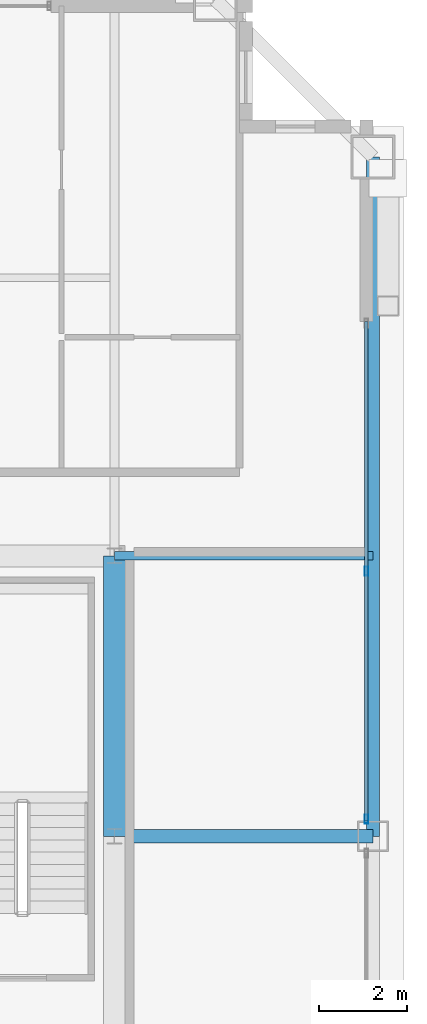
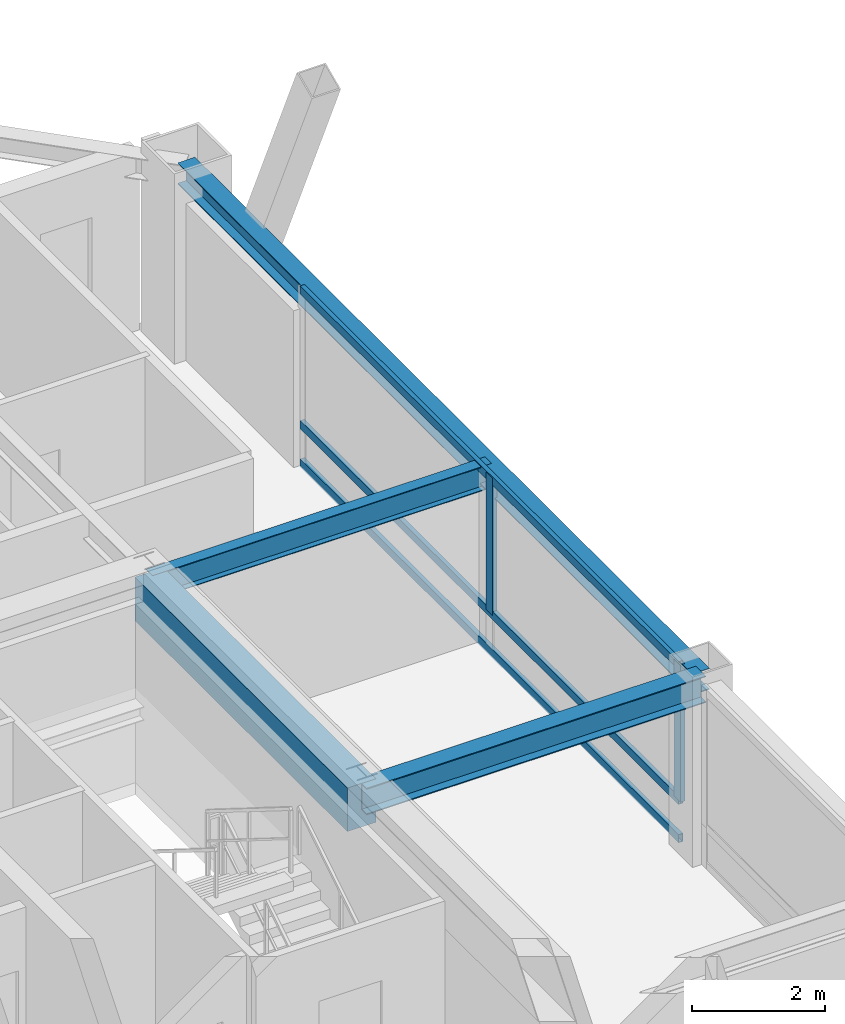
# One storey, part 13 of 33: 5 members, 4 beams, 1 element without a shape of its own.
"""IFC4 building model written with IfcOpenShell, lengths in metres."""

from ifc_helpers import new_model, si_unit, direction, frame, origin, origin_2d, place, context, subcontext, project, spatial, rectangle, hollow_rectangle, i_section, extrude, source, transform, mapped, material, layer, layer_set, material_profile, profile_set, type_object, element, aggregate, save


model = new_model("IFC4")

# Units and contexts
model_context = context("Model", 3, precision=1e-05, world=origin(), true_north=direction((0.0, 1.0)))
body_context = subcontext(model_context, "Body", "Model", "MODEL_VIEW")
ifc_project = project(units=[si_unit("LENGTHUNIT", "METRE"), si_unit("AREAUNIT", "SQUARE_METRE"), si_unit("VOLUMEUNIT", "CUBIC_METRE"), si_unit("PLANEANGLEUNIT", "RADIAN"), si_unit("MASSUNIT", "GRAM", prefix="KILO"), si_unit("THERMODYNAMICTEMPERATUREUNIT", "KELVIN"), si_unit("POWERUNIT", "WATT")], contexts=[model_context])

# Site, building, storey
site_placement = place(None, origin())
site = spatial("IfcSite", under=ifc_project, at=site_placement, CompositionType="ELEMENT")
building_placement = place(site_placement, origin())
building = spatial("IfcBuilding", under=site, at=building_placement, Name="Yuzanri Waterfront Tower", CompositionType="ELEMENT")
storey_placement = place(building_placement, frame((0.0, 0.0, 292.60009765625)))
storey = spatial("IfcBuildingStorey", under=building, at=storey_placement, Name="L78", CompositionType="ELEMENT", Elevation=292.60009765625)

# Beams
ifc_material_1 = material(Name="Concrete C50", Category="concrete")
ifc_material_profile_1 = material_profile(ifc_material_1, rectangle(XDim=0.5, YDim=0.800048828125, at=origin_2d()), Name="RC 500x800")
ifc_profile_set_1 = profile_set([ifc_material_profile_1], Name="Concrete C50")
beam_type_1 = type_object("IfcBeamType", Name="Core Coupling Lintel Concrete C50 500x800", PredefinedType="LINTEL", material=ifc_profile_set_1)
shared_shape_1 = source(origin(), body_context, "Body", "SweptSolid", [
    extrude(rectangle(XDim=0.5, YDim=0.800048828125, at=origin_2d()), origin(), (0.0, 0.0, 1.0), 6.39990234375),
])
beam_1_placement = place(storey_placement, frame((50.199951171875, 25.800048828125, 2.8798828125), z_axis=(0.0, 1.0, 0.0), x_axis=(-1.0, 0.0, 0.0)))
element("IfcBeam", 1, at=beam_1_placement, inside=storey, type_object=beam_type_1, Name="L78 Core Tie Beam CE2", PredefinedType="LINTEL", context=body_context, shape_type="MappedRepresentation", body=[
    mapped(shared_shape_1, transform((0.0, 0.0, 0.0), scale=1.0)),
])
ifc_material_2 = material(Name="Steel Q355B", Category="steel")
ifc_material_profile_2 = material_profile(ifc_material_2, i_section(OverallWidth=0.300048828125, OverallDepth=0.389892578125, WebThickness=0.010009765625, FlangeThickness=0.01611328125, at=origin_2d()), Name="HM 390x300x10x16")
ifc_profile_set_2 = profile_set([ifc_material_profile_2], Name="Steel Q355B")
beam_type_2 = type_object("IfcBeamType", Name="Perimeter Spandrel Q355B HM 390x300", PredefinedType="SPANDREL", material=ifc_profile_set_2)
shared_shape_2 = source(origin(), body_context, "Body", "SweptSolid", [
    extrude(i_section(OverallWidth=0.300048828125, OverallDepth=0.389892578125, WebThickness=0.010009765625, FlangeThickness=0.01611328125, at=origin_2d()), origin(), (0.0, 0.0, 1.0), 15.5),
])
beam_2_placement = place(storey_placement, frame((56.10009765625, 25.800048828125, 3.0849609375), z_axis=(0.0, 1.0, 0.0), x_axis=(-1.0, 0.0, 0.0)))
element("IfcBeam", 2, at=beam_2_placement, inside=storey, type_object=beam_type_2, Name="L78 Perimeter Spandrel E2-E3", PredefinedType="SPANDREL", context=body_context, shape_type="MappedRepresentation", body=[
    mapped(shared_shape_2, transform((0.0, 0.0, 0.0), scale=1.0)),
])
ifc_material_3 = material(Name="Steel Q355B", Category="steel")
ifc_material_profile_3 = material_profile(ifc_material_3, i_section(OverallWidth=0.300048828125, OverallDepth=0.488037109375, WebThickness=0.010986328125, FlangeThickness=0.01806640625, at=origin_2d()), Name="HM 488x300x11x18")
ifc_profile_set_3 = profile_set([ifc_material_profile_3], Name="Steel Q355B")
beam_type_3 = type_object("IfcBeamType", Name="Primary Floor Girder Q355B HM 488x300", PredefinedType="BEAM", material=ifc_profile_set_3)
shared_shape_3 = source(origin(), body_context, "Body", "SweptSolid", [
    extrude(i_section(OverallWidth=0.300048828125, OverallDepth=0.488037109375, WebThickness=0.010986328125, FlangeThickness=0.01806640625, at=origin_2d()), origin(), (0.0, 0.0, 1.0), 5.900146484375),
])
beam_3_placement = place(storey_placement, frame((50.199951171875, 25.800048828125, 3.035888671875), z_axis=(1.0, 0.0, 0.0), x_axis=(0.0, 1.0, 0.0)))
element("IfcBeam", 3, at=beam_3_placement, inside=storey, type_object=beam_type_3, Name="L78 East Grid Girder", PredefinedType="BEAM", context=body_context, shape_type="MappedRepresentation", body=[
    mapped(shared_shape_3, transform((0.0, 0.0, 0.0), scale=1.0)),
])
ifc_material_4 = material(Name="Steel Q355B", Category="steel")
ifc_material_profile_4 = material_profile(ifc_material_4, i_section(OverallWidth=0.199951171875, OverallDepth=0.449951171875, WebThickness=0.009033203125, FlangeThickness=0.013916015625, at=origin_2d()), Name="HN 450x200x9x14")
ifc_profile_set_4 = profile_set([ifc_material_profile_4], Name="Steel Q355B")
beam_type_4 = type_object("IfcBeamType", Name="Secondary Floor Beam Q355B HN 450x200", PredefinedType="BEAM", material=ifc_profile_set_4)
shared_shape_4 = source(origin(), body_context, "Body", "SweptSolid", [
    extrude(i_section(OverallWidth=0.199951171875, OverallDepth=0.449951171875, WebThickness=0.009033203125, FlangeThickness=0.013916015625, at=origin_2d()), origin(), (0.0, 0.0, 1.0), 5.900146484375),
])
beam_4_placement = place(storey_placement, frame((50.199951171875, 32.199951171875, 3.054931640625), z_axis=(1.0, 0.0, 0.0), x_axis=(0.0, 1.0, 0.0)))
element("IfcBeam", 4, at=beam_4_placement, inside=storey, type_object=beam_type_4, Name="L78 East-North Core Line Beam", PredefinedType="BEAM", context=body_context, shape_type="MappedRepresentation", body=[
    mapped(shared_shape_4, transform((0.0, 0.0, 0.0), scale=1.0)),
])

# Curtain wall, members
ifc_material_5 = material(Name="Anodized Architectural Bronze", Category="metal")
ifc_layer = layer(ifc_material_5, 0.159912109375)
ifc_layer_set = layer_set([ifc_layer], Name="Anodized Architectural Bronze")
curtain_wall_type = type_object("IfcCurtainWallType", Name="Anodized Bronze High-Rise Penthouse High-Wind Unitized Curtain Wall 6900", PredefinedType="NOTDEFINED", material=ifc_layer_set)
curtain_wall_placement = place(storey_placement, origin())
curtain_wall = element("IfcCurtainWall", 5, at=curtain_wall_placement, inside=storey, type_object=curtain_wall_type, Name="L78 Curtain Wall CW-L78-ER", PredefinedType="NOTDEFINED")
ifc_material_6 = material(Name="Anodized Architectural Bronze", Category="metal")
ifc_material_profile_5 = material_profile(ifc_material_6, hollow_rectangle(XDim=0.074951171875, YDim=0.199951171875, WallThickness=0.00390625, at=origin_2d()), Name="CWM 75x200")
ifc_profile_set_5 = profile_set([ifc_material_profile_5], Name="Anodized Architectural Bronze")
member_type_1 = type_object("IfcMemberType", Name="Anodized Bronze Primary Curtain-Wall Mullion 75x200", PredefinedType="MULLION", material=ifc_profile_set_5)
shared_shape_5 = source(origin(), body_context, "Body", "SweptSolid", [
    extrude(hollow_rectangle(XDim=0.074951171875, YDim=0.199951171875, WallThickness=0.00390625, at=origin_2d()), origin(), (0.0, 0.0, 1.0), 2.52392578125),
])
member_1_placement = place(storey_placement, frame((55.949951171875, 26.18994140625, 0.755859375), z_axis=(0.0, 0.0, 1.0), x_axis=(1.0, 0.0, 0.0)))
member_1 = element("IfcMember", 6, at=member_1_placement, type_object=member_type_1, Name="CW-L78-ER Upper Mullion 00", PredefinedType="MULLION", context=body_context, shape_type="MappedRepresentation", body=[
    mapped(shared_shape_5, transform((0.0, 0.0, 0.0), scale=1.0)),
])
member_2_placement = place(storey_placement, frame((55.949951171875, 31.85009765625, 0.755859375), z_axis=(0.0, 0.0, 1.0), x_axis=(1.0, 0.0, 0.0)))
member_2 = element("IfcMember", 7, at=member_2_placement, type_object=member_type_1, Name="CW-L78-ER Upper Mullion 01", PredefinedType="MULLION", context=body_context, shape_type="MappedRepresentation", body=[
    mapped(shared_shape_5, transform((0.0, 0.0, 0.0), scale=1.0)),
])
ifc_material_7 = material(Name="Anodized Architectural Bronze", Category="metal")
ifc_material_profile_6 = material_profile(ifc_material_7, hollow_rectangle(XDim=0.074951171875, YDim=0.14990234375, WallThickness=0.00390625, at=origin_2d()), Name="CWT 75x150")
ifc_profile_set_6 = profile_set([ifc_material_profile_6], Name="Anodized Architectural Bronze")
member_type_2 = type_object("IfcMemberType", Name="Anodized Bronze Primary Curtain-Wall Transom 75x150", PredefinedType="USERDEFINED", material=ifc_profile_set_6)
shared_shape_6 = source(origin(), body_context, "Body", "SweptSolid", [
    extrude(hollow_rectangle(XDim=0.074951171875, YDim=0.14990234375, WallThickness=0.00390625, at=origin_2d()), origin(), (0.0, 0.0, 1.0), 11.400146484375),
])
member_3_placement = place(storey_placement, frame((55.949951171875, 26.14990234375, 0.0498046875), z_axis=(0.0, 1.0, 0.0), x_axis=(-1.0, 0.0, 0.0)))
member_3 = element("IfcMember", 8, at=member_3_placement, type_object=member_type_2, Name="CW-L78-ER Transom 1", ObjectType="TRANSOM", PredefinedType="USERDEFINED", context=body_context, shape_type="MappedRepresentation", body=[
    mapped(shared_shape_6, transform((0.0, 0.0, 0.0), scale=1.0)),
])
member_4_placement = place(storey_placement, frame((55.949951171875, 26.14990234375, 0.75390625), z_axis=(0.0, 1.0, 0.0), x_axis=(-1.0, 0.0, 0.0)))
member_4 = element("IfcMember", 9, at=member_4_placement, type_object=member_type_2, Name="CW-L78-ER Transom 2", ObjectType="TRANSOM", PredefinedType="USERDEFINED", context=body_context, shape_type="MappedRepresentation", body=[
    mapped(shared_shape_6, transform((0.0, 0.0, 0.0), scale=1.0)),
])
member_5_placement = place(storey_placement, frame((55.949951171875, 26.14990234375, 3.22998046875), z_axis=(0.0, 1.0, 0.0), x_axis=(-1.0, 0.0, 0.0)))
member_5 = element("IfcMember", 10, at=member_5_placement, type_object=member_type_2, Name="CW-L78-ER Transom 3", ObjectType="TRANSOM", PredefinedType="USERDEFINED", context=body_context, shape_type="MappedRepresentation", body=[
    mapped(shared_shape_6, transform((0.0, 0.0, 0.0), scale=1.0)),
])
aggregate(curtain_wall, [member_1, member_2, member_3, member_4, member_5])

save(model, "model.ifc")
